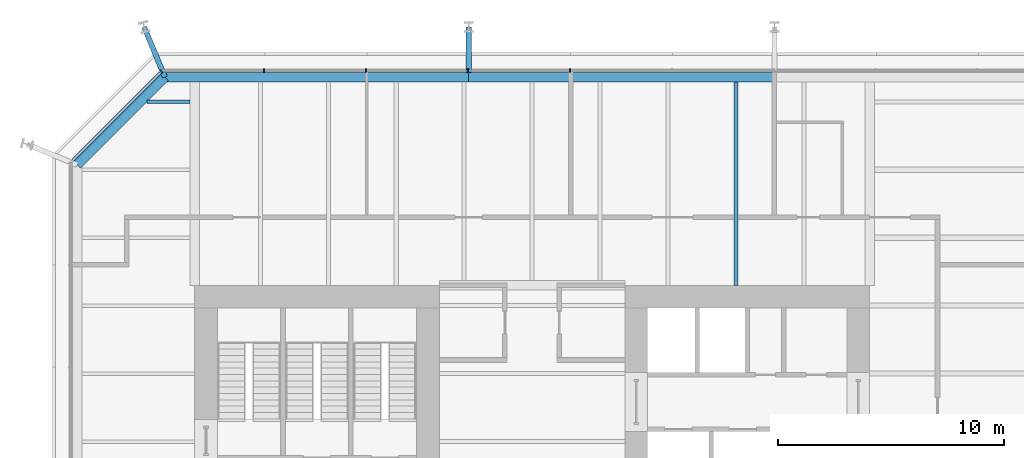
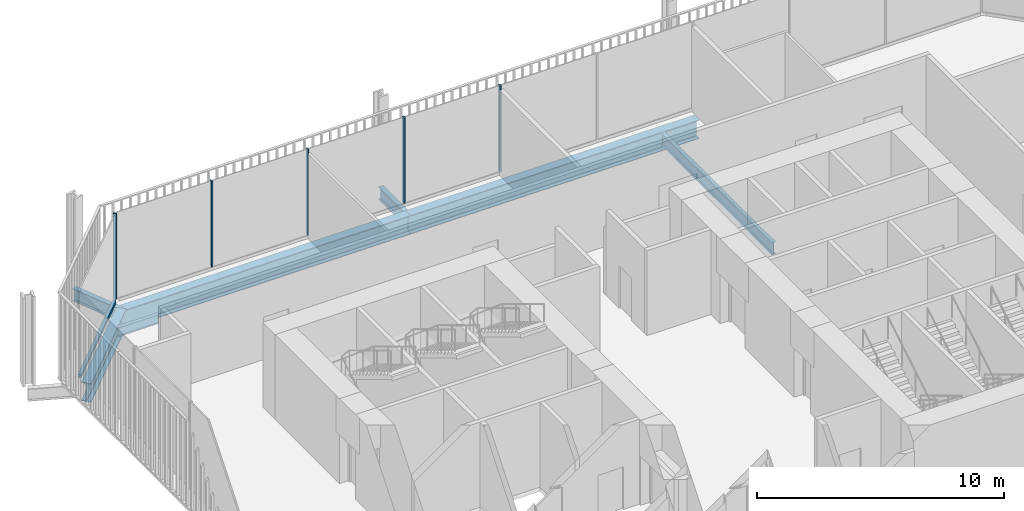
# One storey, part 12 of 20: 7 beams, 6 members, 2 elements without a shape of their own.
"""IFC4 building model written with IfcOpenShell, lengths in metres."""

from ifc_helpers import new_model, si_unit, direction, frame, origin, origin_2d, place, context, subcontext, project, spatial, rectangle, i_section, extrude, material, layer, layer_set, material_profile, profile_set, type_object, element, aggregate, save


model = new_model("IFC4")

# Units and contexts
model_context = context("Model", 3, precision=1e-05, world=origin(), true_north=direction((0.0, 1.0)))
body_context = subcontext(model_context, "Body", "Model", "MODEL_VIEW")
ifc_project = project(units=[si_unit("LENGTHUNIT", "METRE"), si_unit("AREAUNIT", "SQUARE_METRE"), si_unit("VOLUMEUNIT", "CUBIC_METRE"), si_unit("PLANEANGLEUNIT", "RADIAN"), si_unit("MASSUNIT", "GRAM", prefix="KILO")], contexts=[model_context])

# Site, building, storey
site_placement = place(None, origin())
site = spatial("IfcSite", under=ifc_project, at=site_placement, CompositionType="ELEMENT")
building_placement = place(site_placement, origin())
building = spatial("IfcBuilding", under=site, at=building_placement, Name="Millrace Tower", CompositionType="ELEMENT")
storey_placement = place(building_placement, frame((0.0, 0.0, 77.60009765625)))
storey = spatial("IfcBuildingStorey", under=building, at=storey_placement, Name="L17", CompositionType="ELEMENT", Elevation=77.60009765625)

# Curtain wall, members
ifc_material_1 = material(Name="Aluminium and glass", Category="aluminium")
ifc_layer = layer(ifc_material_1, 0.14990234375)
ifc_layer_set = layer_set([ifc_layer], Name="Aluminium and glass")
curtain_wall_type = type_object("IfcCurtainWallType", Name="CW-3 telecom floor curtain wall", PredefinedType="NOTDEFINED", material=ifc_layer_set)
placement = place(storey_placement, origin())
curtain_wall_1 = element("IfcCurtainWall", 1, at=placement, inside=storey, type_object=curtain_wall_type, Name="Curtain wall B-F06 L17", PredefinedType="NOTDEFINED")
ifc_material_2 = material(Name="Aluminium", Category="aluminium")
ifc_material_profile_1 = material_profile(ifc_material_2, rectangle(XDim=0.06494140625, YDim=0.14990234375, at=origin_2d()))
ifc_profile_set_1 = profile_set([ifc_material_profile_1], Name="Aluminium")
member_type_1 = type_object("IfcMemberType", Name="CW-3 telecom floor curtain wall mullion", PredefinedType="MULLION", material=ifc_profile_set_1)
member_1_placement = place(storey_placement, frame((1.66748046875, 19.375, 0.14990234375), z_axis=(0.0, 0.0, 1.0), x_axis=(-1.0, 0.0, 0.0)))
member_1 = element("IfcMember", 2, at=member_1_placement, type_object=member_type_1, Name="CW3 mullion B-F06.6", PredefinedType="MULLION", context=body_context, shape_type="SweptSolid", body=[
    extrude(rectangle(XDim=0.06494140625, YDim=0.14990234375, at=origin_2d()), origin(), (0.0, 0.0, 1.0), 4.25),
])
member_2_placement = place(storey_placement, frame((-2.83251953125, 19.375, 0.14990234375), z_axis=(0.0, 0.0, 1.0), x_axis=(-1.0, 0.0, 0.0)))
member_2 = element("IfcMember", 3, at=member_2_placement, type_object=member_type_1, Name="CW3 mullion B-F06.7", PredefinedType="MULLION", context=body_context, shape_type="SweptSolid", body=[
    extrude(rectangle(XDim=0.06494140625, YDim=0.14990234375, at=origin_2d()), origin(), (0.0, 0.0, 1.0), 4.25),
])
member_3_placement = place(storey_placement, frame((-7.33251953125, 19.375, 0.14990234375), z_axis=(0.0, 0.0, 1.0), x_axis=(-1.0, 0.0, 0.0)))
member_3 = element("IfcMember", 4, at=member_3_placement, type_object=member_type_1, Name="CW3 mullion B-F06.8", PredefinedType="MULLION", context=body_context, shape_type="SweptSolid", body=[
    extrude(rectangle(XDim=0.06494140625, YDim=0.14990234375, at=origin_2d()), origin(), (0.0, 0.0, 1.0), 4.25),
])
member_4_placement = place(storey_placement, frame((-11.83251953125, 19.375, 0.14990234375), z_axis=(0.0, 0.0, 1.0), x_axis=(-1.0, 0.0, 0.0)))
member_4 = element("IfcMember", 5, at=member_4_placement, type_object=member_type_1, Name="CW3 mullion B-F06.9", PredefinedType="MULLION", context=body_context, shape_type="SweptSolid", body=[
    extrude(rectangle(XDim=0.06494140625, YDim=0.14990234375, at=origin_2d()), origin(), (0.0, 0.0, 1.0), 4.25),
])
aggregate(curtain_wall_1, [member_1, member_2, member_3, member_4])

curtain_wall_2 = element("IfcCurtainWall", 6, at=placement, inside=storey, type_object=curtain_wall_type, Name="Curtain wall B-F07 L17", PredefinedType="NOTDEFINED")
member_5_placement = place(storey_placement, frame((-16.3759765625, 19.330078125, 0.14990234375), z_axis=(0.0, 0.0, 1.0), x_axis=(-0.707106781187, -0.707106781187, 0.0)))
member_5 = element("IfcMember", 7, at=member_5_placement, type_object=member_type_1, Name="CW3 mullion B-F07.1", PredefinedType="MULLION", context=body_context, shape_type="SweptSolid", body=[
    extrude(rectangle(XDim=0.06494140625, YDim=0.14990234375, at=origin_2d()), origin(), (0.0, 0.0, 1.0), 4.25),
])
ifc_material_3 = material(Name="Aluminium", Category="aluminium")
ifc_material_profile_2 = material_profile(ifc_material_3, rectangle(XDim=0.14990234375, YDim=0.14990234375, at=origin_2d()))
ifc_profile_set_2 = profile_set([ifc_material_profile_2], Name="Aluminium")
member_type_2 = type_object("IfcMemberType", Name="CW-3 telecom floor curtain wall transom", PredefinedType="USERDEFINED", material=ifc_profile_set_2)
member_6_placement = place(storey_placement, frame((-16.423828125, 19.2822265625, 0.074951171875), z_axis=(-0.707106781187, -0.707106781187, 0.0), x_axis=(0.707106781187, -0.707106781187, 0.0)))
member_6 = element("IfcMember", 8, at=member_6_placement, type_object=member_type_2, Name="CW3 transom B-F07.1", ObjectType="TRANSOM", PredefinedType="USERDEFINED", context=body_context, shape_type="SweptSolid", body=[
    extrude(rectangle(XDim=0.14990234375, YDim=0.14990234375, at=origin_2d()), origin(), (0.0, 0.0, 1.0), 5.45654296875),
])
aggregate(curtain_wall_2, [member_5, member_6])

# Beams
ifc_material_4 = material(Name="Steel ASTM A992 Grade 50", Category="steel")
ifc_material_profile_3 = material_profile(ifc_material_4, i_section(OverallWidth=0.15234375, OverallDepth=0.449462890625, WebThickness=0.007568359375, FlangeThickness=0.0107421875, FilletRadius=0.01025390625, at=origin_2d()))
ifc_profile_set_3 = profile_set([ifc_material_profile_3], Name="Steel ASTM A992 Grade 50")
beam_type_1 = type_object("IfcBeamType", Name="Floor beam W18x35", PredefinedType="JOIST", material=ifc_profile_set_3)
beam_1_placement = place(storey_placement, frame((-16.995361328125, 18.0, -0.4248046875), z_axis=(1.0, 0.0, 0.0), x_axis=(0.0, 1.0, 0.0)))
element("IfcBeam", 9, at=beam_1_placement, inside=storey, type_object=beam_type_1, Name="BM-B-L17-S1-S038", PredefinedType="JOIST", context=body_context, shape_type="SweptSolid", body=[
    extrude(i_section(OverallWidth=0.15234375, OverallDepth=0.449462890625, WebThickness=0.007568359375, FlangeThickness=0.0107421875, FilletRadius=0.01025390625, at=origin_2d()), origin(), (0.0, 0.0, 1.0), 1.884521484375),
])
ifc_material_5 = material(Name="Steel ASTM A992 Grade 50", Category="steel")
ifc_material_profile_4 = material_profile(ifc_material_5, i_section(OverallWidth=0.177978515625, OverallDepth=0.599365234375, WebThickness=0.010009765625, FlangeThickness=0.012939453125, FilletRadius=0.012939453125, at=origin_2d()))
ifc_profile_set_4 = profile_set([ifc_material_profile_4], Name="Steel ASTM A992 Grade 50")
beam_type_2 = type_object("IfcBeamType", Name="Floor beam W24x55", PredefinedType="JOIST", material=ifc_profile_set_4)
beam_2_placement = place(storey_placement, frame((9.0, 9.89990234375, -0.499755859375), z_axis=(0.0, 1.0, 0.0), x_axis=(-1.0, 0.0, 0.0)))
element("IfcBeam", 10, at=beam_2_placement, inside=storey, type_object=beam_type_2, Name="BM-B-L17-S1-S054", PredefinedType="JOIST", context=body_context, shape_type="SweptSolid", body=[
    extrude(i_section(OverallWidth=0.177978515625, OverallDepth=0.599365234375, WebThickness=0.010009765625, FlangeThickness=0.012939453125, FilletRadius=0.012939453125, at=origin_2d()), origin(), (0.0, 0.0, 1.0), 8.98095703125),
])
ifc_material_6 = material(Name="Steel ASTM A992 Grade 50", Category="steel")
ifc_material_profile_5 = material_profile(ifc_material_6, i_section(OverallWidth=0.23046875, OverallDepth=0.6171875, WebThickness=0.01318359375, FlangeThickness=0.022216796875, FilletRadius=0.012939453125, at=origin_2d()))
ifc_profile_set_5 = profile_set([ifc_material_profile_5], Name="Steel ASTM A992 Grade 50")
beam_type_3 = type_object("IfcBeamType", Name="Link beam W24x94", PredefinedType="BEAM", material=ifc_profile_set_5)
beam_3_placement = place(storey_placement, frame((-16.213134765625, 19.09033203125, -0.5087890625), z_axis=(-0.382679341507, 0.923881226989, 0.0), x_axis=(-0.923881226989, -0.382679341507, 0.0)))
element("IfcBeam", 11, at=beam_3_placement, inside=storey, type_object=beam_type_3, Name="LNK-B-L17-S1-05", PredefinedType="BEAM", context=body_context, shape_type="SweptSolid", body=[
    extrude(i_section(OverallWidth=0.23046875, OverallDepth=0.6171875, WebThickness=0.01318359375, FlangeThickness=0.022216796875, FilletRadius=0.012939453125, at=origin_2d()), origin(), (0.0, 0.0, 1.0), 2.391845703125),
])
beam_4_placement = place(storey_placement, frame((-2.800048828125, 19.300048828125, -0.5087890625), z_axis=(0.0, 1.0, 0.0), x_axis=(-1.0, 0.0, 0.0)))
element("IfcBeam", 12, at=beam_4_placement, inside=storey, type_object=beam_type_3, Name="LNK-B-L17-S1-06", PredefinedType="BEAM", context=body_context, shape_type="SweptSolid", body=[
    extrude(i_section(OverallWidth=0.23046875, OverallDepth=0.6171875, WebThickness=0.01318359375, FlangeThickness=0.022216796875, FilletRadius=0.012939453125, at=origin_2d()), origin(), (0.0, 0.0, 1.0), 2.0),
])
ifc_material_7 = material(Name="Steel ASTM A992 Grade 50", Category="steel")
ifc_material_profile_6 = material_profile(ifc_material_7, i_section(OverallWidth=0.419189453125, OverallDepth=0.927001953125, WebThickness=0.019287109375, FlangeThickness=0.031982421875, FilletRadius=0.024169921875, at=origin_2d()))
ifc_profile_set_6 = profile_set([ifc_material_profile_6], Name="Steel ASTM A992 Grade 50")
beam_type_4 = type_object("IfcBeamType", Name="Ring beam medium span W36x231", PredefinedType="SPANDREL", material=ifc_profile_set_6)
beam_5_placement = place(storey_placement, frame((-16.213134765625, 19.09033203125, -0.66357421875), z_axis=(1.0, 0.0, 0.0), x_axis=(0.0, 1.0, 0.0)))
element("IfcBeam", 13, at=beam_5_placement, inside=storey, type_object=beam_type_4, Name="RNG-B-L17-S1-05", PredefinedType="SPANDREL", context=body_context, shape_type="SweptSolid", body=[
    extrude(i_section(OverallWidth=0.419189453125, OverallDepth=0.927001953125, WebThickness=0.019287109375, FlangeThickness=0.031982421875, FilletRadius=0.024169921875, at=origin_2d()), origin(), (0.0, 0.0, 1.0), 13.4130859375),
])
beam_6_placement = place(storey_placement, frame((-2.800048828125, 19.09033203125, -0.66357421875), z_axis=(1.0, 0.0, 0.0), x_axis=(0.0, 1.0, 0.0)))
element("IfcBeam", 14, at=beam_6_placement, inside=storey, type_object=beam_type_4, Name="RNG-B-L17-S1-06", PredefinedType="SPANDREL", context=body_context, shape_type="SweptSolid", body=[
    extrude(i_section(OverallWidth=0.419189453125, OverallDepth=0.927001953125, WebThickness=0.019287109375, FlangeThickness=0.031982421875, FilletRadius=0.024169921875, at=origin_2d()), origin(), (0.0, 0.0, 1.0), 13.5),
])
ifc_material_8 = material(Name="Steel ASTM A992 Grade 50", Category="steel")
ifc_material_profile_7 = material_profile(ifc_material_8, i_section(OverallWidth=0.419189453125, OverallDepth=0.927001953125, WebThickness=0.019287109375, FlangeThickness=0.031982421875, FilletRadius=0.024169921875, at=origin_2d()))
ifc_profile_set_7 = profile_set([ifc_material_profile_7], Name="Steel ASTM A992 Grade 50")
beam_type_5 = type_object("IfcBeamType", Name="Ring beam short span W36x231", PredefinedType="SPANDREL", material=ifc_profile_set_7)
beam_7_placement = place(storey_placement, frame((-20.09033203125, 15.213134765625, -0.66357421875), z_axis=(0.707106781187, 0.707106781187, 0.0), x_axis=(-0.707106781187, 0.707106781187, 0.0)))
element("IfcBeam", 15, at=beam_7_placement, inside=storey, type_object=beam_type_5, Name="RNG-B-L17-S1-04", PredefinedType="SPANDREL", context=body_context, shape_type="SweptSolid", body=[
    extrude(i_section(OverallWidth=0.419189453125, OverallDepth=0.927001953125, WebThickness=0.019287109375, FlangeThickness=0.031982421875, FilletRadius=0.024169921875, at=origin_2d()), origin(), (0.0, 0.0, 1.0), 5.483154296875),
])

save(model, "model.ifc")
